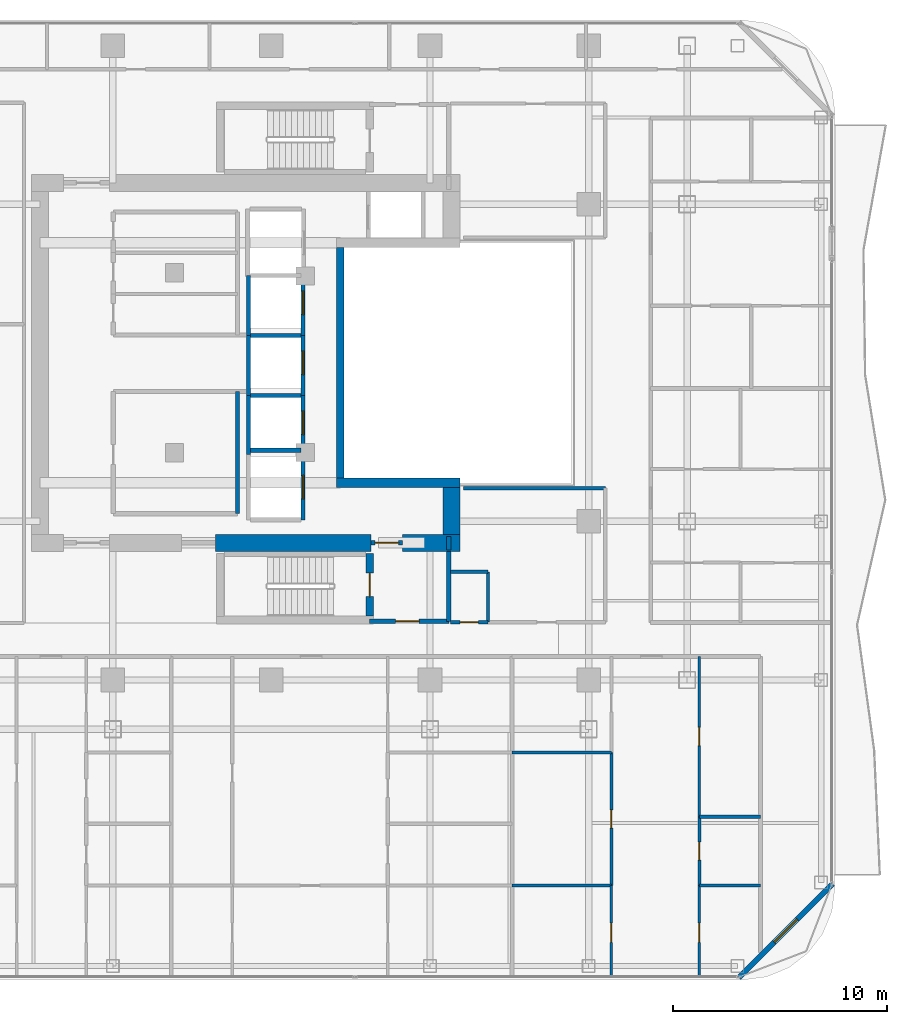
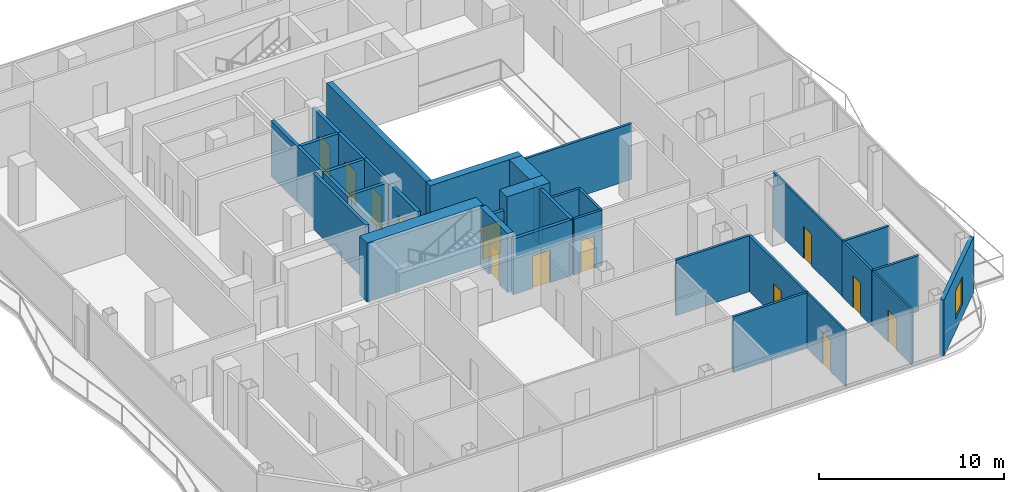
# One storey, part 21 of 27: 35 walls, 13 doors, 1 window, 14 openings.
"""IFC4 building model written with IfcOpenShell, lengths in metres."""

from ifc_helpers import new_model, si_unit, direction, frame, frame_2d, origin, place, context, subcontext, project, spatial, rectangle, extrude, material, layer, layer_set, type_object, element, fill, save


model = new_model("IFC4")

# Units and contexts
model_context = context("Model", 3, precision=1e-05, world=origin(), true_north=direction((0.0, 1.0)))
body_context = subcontext(model_context, "Body", "Model", "MODEL_VIEW")
ifc_project = project(units=[si_unit("LENGTHUNIT", "METRE"), si_unit("AREAUNIT", "SQUARE_METRE"), si_unit("VOLUMEUNIT", "CUBIC_METRE"), si_unit("PLANEANGLEUNIT", "RADIAN"), si_unit("MASSUNIT", "GRAM", prefix="KILO")], contexts=[model_context])

# Site, building, storey
site_placement = place(None, origin())
site = spatial("IfcSite", under=ifc_project, at=site_placement, CompositionType="ELEMENT")
building_placement = place(site_placement, origin())
building = spatial("IfcBuilding", under=site, at=building_placement, Name="Khorvyn Point Tower", CompositionType="ELEMENT")
storey_placement = place(building_placement, frame((0.0, 0.0, 227.39990234375)))
storey = spatial("IfcBuildingStorey", under=building, at=storey_placement, Name="L56", CompositionType="ELEMENT", Elevation=227.39990234375)

# Wall, opening, window
ifc_material_1 = material(Name="Pale anodised aluminium rainscreen on steel stud", Category="steel")
ifc_layer_1 = layer(ifc_material_1, 0.239990234375)
ifc_layer_set_1 = layer_set([ifc_layer_1], Name="Anodised Aluminium Insulated Corner Spandrel Wall 240")
wall_type_1 = type_object("IfcWallType", Name="Anodised Aluminium Insulated Corner Spandrel Wall 240", PredefinedType="SOLIDWALL", material=ifc_layer_set_1)
wall_1_placement = place(storey_placement, frame((26.1923828125, -24.3076171875, 0.0), z_axis=(0.0, 0.0, 1.0), x_axis=(-0.707106781187, -0.707106781187, 0.0)))
wall_1 = element("IfcWall", 1, at=wall_1_placement, inside=storey, type_object=wall_type_1, Name="L56 Rounded Corner Wall SE", PredefinedType="SOLIDWALL", context=body_context, shape_type="SweptSolid", body=[
    extrude(rectangle(XDim=6.200927734375, YDim=0.239990234375, at=frame_2d((3.1005859375, 0.0))), origin(), (0.0, 0.0, 1.0), 3.68017578125),
])
opening_1_placement = place(wall_1_placement, frame((2.3505859375, 0.0, 0.800048828125)))
opening_1 = element("IfcOpeningElement", 2, at=opening_1_placement, cuts=wall_1, Name="Opening WN-1518", PredefinedType="OPENING", context=body_context, shape_type="SweptSolid", body=[
    extrude(rectangle(XDim=1.5, YDim=1.85009765625, at=frame_2d((0.75, 0.925048828125))), frame((0.0, 0.1298828125, 0.0), z_axis=(0.0, -1.0, 0.0), x_axis=(1.0, 0.0, 0.0)), (0.0, 0.0, 1.0), 0.260009765625),
])
ifc_material_2 = material(Name="Anodised aluminium 6063-T6 and laminated Low-E glass", Category="aluminium")
window_type = type_object("IfcWindowType", Name="Anodised Aluminium Rounded-Corner Panoramic Window 1500x1850", PartitioningType="SINGLE_PANEL", PredefinedType="WINDOW", material=ifc_material_2)
window_placement = place(opening_1_placement, origin())
window = element("IfcWindow", 3, at=window_placement, inside=storey, type_object=window_type, Name="L56 Corner Panoramic Window SE", OverallHeight=1.85009765625, OverallWidth=1.5, PartitioningType="SINGLE_PANEL", PredefinedType="WINDOW", context=body_context, shape_type="SweptSolid", body=[
    extrude(rectangle(XDim=1.5, YDim=1.85009765625, at=frame_2d((0.75, 0.925048828125))), frame((0.0, 0.030029296875, 0.0), z_axis=(0.0, -1.0, 0.0), x_axis=(1.0, 0.0, 0.0)), (0.0, 0.0, 1.0), 0.06005859375),
])
fill(opening_1, window)

# Wall
ifc_material_3 = material(Name="Concrete C40/50", Category="concrete")
ifc_layer_2 = layer(ifc_material_3, 0.449951171875)
ifc_layer_set_2 = layer_set([ifc_layer_2], Name="Concrete C40/50 Core Shear Wall 450")
wall_type_2 = type_object("IfcWallType", Name="Concrete C40/50 Core Shear Wall 450", PredefinedType="SHEAR", material=ifc_layer_set_2)
wall_2_placement = place(storey_placement, frame((3.044921875, -5.60009765625, 0.0), z_axis=(0.0, 0.0, 1.0), x_axis=(1.0, 0.0, 0.0)))
element("IfcWall", 4, at=wall_2_placement, inside=storey, type_object=wall_type_2, Name="Wall", PredefinedType="SHEAR", context=body_context, shape_type="SweptSolid", body=[
    extrude(rectangle(XDim=5.755126953125, YDim=0.449951171875, at=frame_2d((2.87744140625, 0.0))), origin(), (0.0, 0.0, 1.0), 3.900146484375),
])

# Wall, opening, door
ifc_layer_3 = layer(ifc_material_3, 0.199951171875)
ifc_layer_set_3 = layer_set([ifc_layer_3], Name="Concrete C40/50 Fire-Lobby Compartment Wall 200")
wall_type_3 = type_object("IfcWallType", Name="Concrete C40/50 Fire-Lobby Compartment Wall 200", PredefinedType="SOLIDWALL", material=ifc_layer_set_3)
wall_3_placement = place(storey_placement, frame((4.580078125, -12.06005859375, 0.0), z_axis=(0.0, 0.0, 1.0), x_axis=(1.0, 0.0, 0.0)))
wall_3 = element("IfcWall", 5, at=wall_3_placement, inside=storey, type_object=wall_type_3, Name="Wall", PredefinedType="SOLIDWALL", context=body_context, shape_type="SweptSolid", body=[
    extrude(rectangle(XDim=3.699951171875, YDim=0.199951171875, at=frame_2d((1.85009765625, 0.0))), origin(), (0.0, 0.0, 1.0), 3.68017578125),
])
opening_2_placement = place(wall_3_placement, frame((1.21240234375, 0.0, 0.0)))
opening_2 = element("IfcOpeningElement", 6, at=opening_2_placement, cuts=wall_3, Name="Opening ID-FL90", PredefinedType="OPENING", context=body_context, shape_type="SweptSolid", body=[
    extrude(rectangle(XDim=1.10009765625, YDim=2.14990234375, at=frame_2d((0.550048828125, 1.074951171875))), frame((0.0, 0.10986328125, 0.0), z_axis=(0.0, -1.0, 0.0), x_axis=(1.0, 0.0, 0.0)), (0.0, 0.0, 1.0), 0.219970703125),
])
ifc_material_4 = material(Name="Galvanised powder-coated steel", Category="steel")
door_type_1 = type_object("IfcDoorType", Name="Fire-Rated Steel Lobby and Stair Door 1100x2150", OperationType="NOTDEFINED", PredefinedType="DOOR", material=ifc_material_4)
door_1_placement = place(opening_2_placement, origin())
door_1 = element("IfcDoor", 7, at=door_1_placement, inside=storey, type_object=door_type_1, Name="Door", OperationType="SINGLE_SWING_RIGHT", OverallHeight=2.14990234375, OverallWidth=1.10009765625, PredefinedType="DOOR", context=body_context, shape_type="SweptSolid", body=[
    extrude(rectangle(XDim=1.10009765625, YDim=2.14990234375, at=frame_2d((0.550048828125, 1.074951171875))), frame((0.0, 0.02490234375, 0.0), z_axis=(0.0, -1.0, 0.0), x_axis=(1.0, 0.0, 0.0)), (0.0, 0.0, 1.0), 0.050048828125),
])
fill(opening_2, door_1)

wall_4_placement = place(storey_placement, frame((4.64990234375, -8.39990234375, 0.0), z_axis=(0.0, 0.0, 1.0), x_axis=(1.0, 0.0, 0.0)))
wall_4 = element("IfcWall", 8, at=wall_4_placement, inside=storey, type_object=wall_type_3, Name="Wall", PredefinedType="SOLIDWALL", context=body_context, shape_type="SweptSolid", body=[
    extrude(rectangle(XDim=1.47021484375, YDim=0.199951171875, at=frame_2d((0.735107421875, 0.0))), origin(), (0.0, 0.0, 1.0), 2.820068359375),
])
opening_3_placement = place(wall_4_placement, frame((0.18505859375, 0.0, 0.0)))
opening_3 = element("IfcOpeningElement", 9, at=opening_3_placement, cuts=wall_4, Name="Opening ID-FL90", PredefinedType="OPENING", context=body_context, shape_type="SweptSolid", body=[
    extrude(rectangle(XDim=1.10009765625, YDim=2.14990234375, at=frame_2d((0.550048828125, 1.074951171875))), frame((0.0, 0.10986328125, 0.0), z_axis=(0.0, -1.0, 0.0), x_axis=(1.0, 0.0, 0.0)), (0.0, 0.0, 1.0), 0.219970703125),
])
door_2_placement = place(opening_3_placement, origin())
door_2 = element("IfcDoor", 10, at=door_2_placement, inside=storey, type_object=door_type_1, Name="Door", OperationType="SINGLE_SWING_LEFT", OverallHeight=2.14990234375, OverallWidth=1.10009765625, PredefinedType="DOOR", context=body_context, shape_type="SweptSolid", body=[
    extrude(rectangle(XDim=1.10009765625, YDim=2.14990234375, at=frame_2d((0.550048828125, 1.074951171875))), frame((0.0, 0.02490234375, 0.0), z_axis=(0.0, -1.0, 0.0), x_axis=(1.0, 0.0, 0.0)), (0.0, 0.0, 1.0), 0.050048828125),
])
fill(opening_3, door_2)

# Walls
wall_5_placement = place(storey_placement, frame((8.280029296875, -12.06005859375, 0.0), z_axis=(0.0, 0.0, 1.0), x_axis=(0.0, 1.0, 0.0)))
element("IfcWall", 11, at=wall_5_placement, inside=storey, type_object=wall_type_3, Name="Wall", PredefinedType="SOLIDWALL", context=body_context, shape_type="SweptSolid", body=[
    extrude(rectangle(XDim=3.260009765625, YDim=0.199951171875, at=frame_2d((1.6298828125, 0.0))), origin(), (0.0, 0.0, 1.0), 3.68017578125),
])
wall_6_placement = place(storey_placement, frame((-1.580078125, -7.0400390625, 0.0), z_axis=(0.0, 0.0, 1.0), x_axis=(0.0, 1.0, 0.0)))
element("IfcWall", 12, at=wall_6_placement, inside=storey, type_object=wall_type_3, Name="Wall", PredefinedType="SOLIDWALL", context=body_context, shape_type="SweptSolid", body=[
    extrude(rectangle(XDim=5.699951171875, YDim=0.199951171875, at=frame_2d((2.85009765625, 0.0))), origin(), (0.0, 0.0, 1.0), 3.68017578125),
])
wall_7_placement = place(storey_placement, frame((8.280029296875, -8.72509765625, 0.0), z_axis=(0.0, 0.0, 1.0), x_axis=(0.0, 1.0, 0.0)))
element("IfcWall", 13, at=wall_7_placement, inside=storey, type_object=wall_type_3, Name="Wall", PredefinedType="SOLIDWALL", context=body_context, shape_type="SweptSolid", body=[
    extrude(rectangle(XDim=0.625, YDim=0.199951171875, at=frame_2d((0.3125, 0.0))), origin(), (0.0, 0.0, 1.0), 3.68017578125),
])
ifc_layer_4 = layer(ifc_material_3, 0.35009765625)
ifc_layer_set_4 = layer_set([ifc_layer_4], Name="Concrete C40/50 Stair Shaft Structural Wall 350")
wall_type_4 = type_object("IfcWallType", Name="Concrete C40/50 Stair Shaft Structural Wall 350", PredefinedType="SHEAR", material=ifc_layer_set_4)
wall_8_placement = place(storey_placement, frame((3.219970703125, -5.375, 0.0), z_axis=(0.0, 0.0, 1.0), x_axis=(0.0, 1.0, 0.0)))
element("IfcWall", 14, at=wall_8_placement, inside=storey, type_object=wall_type_4, Name="Wall", PredefinedType="SHEAR", context=body_context, shape_type="SweptSolid", body=[
    extrude(rectangle(XDim=10.75, YDim=0.35009765625, at=frame_2d((5.375, 0.0))), origin(), (0.0, 0.0, 1.0), 3.900146484375),
])

# Wall, opening, door
wall_9_placement = place(storey_placement, frame((4.580078125, -8.89990234375, 0.0), z_axis=(0.0, 0.0, 1.0), x_axis=(0.0, -1.0, 0.0)))
wall_9 = element("IfcWall", 15, at=wall_9_placement, inside=storey, type_object=wall_type_4, Name="L56 ST-01 East Landing Door Wall", PredefinedType="SHEAR", context=body_context, shape_type="SweptSolid", body=[
    extrude(rectangle(XDim=2.925048828125, YDim=0.35009765625, at=frame_2d((1.46240234375, 0.0))), origin(), (0.0, 0.0, 1.0), 3.900146484375),
])
opening_4_placement = place(wall_9_placement, frame((0.91259765625, 0.0, 0.0)))
opening_4 = element("IfcOpeningElement", 16, at=opening_4_placement, cuts=wall_9, Name="Opening ID-FL90", PredefinedType="OPENING", context=body_context, shape_type="SweptSolid", body=[
    extrude(rectangle(XDim=1.10009765625, YDim=2.14990234375, at=frame_2d((0.550048828125, 1.074951171875))), frame((0.0, 0.18505859375, 0.0), z_axis=(0.0, -1.0, 0.0), x_axis=(1.0, 0.0, 0.0)), (0.0, 0.0, 1.0), 0.3701171875),
])
door_3_placement = place(opening_4_placement, origin())
door_3 = element("IfcDoor", 17, at=door_3_placement, inside=storey, type_object=door_type_1, Name="L56 ST-01 Smokeproof Landing Door", OperationType="SINGLE_SWING_RIGHT", OverallHeight=2.14990234375, OverallWidth=1.10009765625, PredefinedType="DOOR", context=body_context, shape_type="SweptSolid", body=[
    extrude(rectangle(XDim=1.10009765625, YDim=2.14990234375, at=frame_2d((0.550048828125, 1.074951171875))), frame((0.0, 0.02490234375, 0.0), z_axis=(0.0, -1.0, 0.0), x_axis=(1.0, 0.0, 0.0)), (0.0, 0.0, 1.0), 0.050048828125),
])
fill(opening_4, door_3)

# Wall
ifc_layer_5 = layer(ifc_material_3, 0.199951171875)
ifc_layer_set_5 = layer_set([ifc_layer_5], Name="Concrete C40/50 Structural Hoistway and Stair Shaft Wall 200")
wall_type_5 = type_object("IfcWallType", Name="Concrete C40/50 Structural Hoistway and Stair Shaft Wall 200", PredefinedType="SHEAR", material=ifc_layer_set_5)
wall_10_placement = place(storey_placement, frame((-1.074951171875, -4.27490234375, 0.0), z_axis=(0.0, 0.0, 1.0), x_axis=(0.0, 1.0, 0.0)))
element("IfcWall", 18, at=wall_10_placement, inside=storey, type_object=wall_type_5, Name="Wall", PredefinedType="SHEAR", context=body_context, shape_type="SweptSolid", body=[
    extrude(rectangle(XDim=2.75, YDim=0.199951171875, at=frame_2d((1.375, 0.0))), origin(), (0.0, 0.0, 1.0), 3.68017578125),
])

# Wall, opening, door
wall_11_placement = place(storey_placement, frame((1.47509765625, -4.27490234375, 0.0), z_axis=(0.0, 0.0, 1.0), x_axis=(0.0, 1.0, 0.0)))
wall_11 = element("IfcWall", 19, at=wall_11_placement, inside=storey, type_object=wall_type_5, Name="Wall", PredefinedType="SHEAR", context=body_context, shape_type="SweptSolid", body=[
    extrude(rectangle(XDim=2.75, YDim=0.199951171875, at=frame_2d((1.375, 0.0))), origin(), (0.0, 0.0, 1.0), 3.68017578125),
])
opening_5_placement = place(wall_11_placement, frame((0.925048828125, 0.0, 0.0)))
opening_5 = element("IfcOpeningElement", 20, at=opening_5_placement, cuts=wall_11, Name="Opening LD-1122", PredefinedType="OPENING", context=body_context, shape_type="SweptSolid", body=[
    extrude(rectangle(XDim=1.10009765625, YDim=2.199951171875, at=frame_2d((0.550048828125, 1.10009765625))), frame((0.0, 0.10986328125, 0.0), z_axis=(0.0, -1.0, 0.0), x_axis=(1.0, 0.0, 0.0)), (0.0, 0.0, 1.0), 0.219970703125),
])
ifc_material_5 = material(Name="Stainless steel 1.4301", Category="steel")
door_type_2 = type_object("IfcDoorType", Name="Stainless Steel Automatic Sliding Lift Landing Door 1100x2200", OperationType="SLIDING_TO_LEFT", PredefinedType="DOOR", material=ifc_material_5)
door_4_placement = place(opening_5_placement, origin())
door_4 = element("IfcDoor", 21, at=door_4_placement, inside=storey, type_object=door_type_2, Name="L56 RH-01 Sliding Lift Landing Door", OperationType="SLIDING_TO_LEFT", OverallHeight=2.199951171875, OverallWidth=1.10009765625, PredefinedType="DOOR", context=body_context, shape_type="SweptSolid", body=[
    extrude(rectangle(XDim=1.10009765625, YDim=2.199951171875, at=frame_2d((0.550048828125, 1.10009765625))), frame((0.0, 0.02490234375, 0.0), z_axis=(0.0, -1.0, 0.0), x_axis=(1.0, 0.0, 0.0)), (0.0, 0.0, 1.0), 0.050048828125),
])
fill(opening_5, door_4)

# Walls
for number, where, z_axis, x_axis, name in (
    (22, (-0.97509765625, -4.074951171875, 0.0), (0.0, 0.0, 1.0), (1.0, 0.0, 0.0), "Wall"),
    (23, (-0.97509765625, -1.52490234375, 0.0), (0.0, 0.0, 1.0), (1.0, 0.0, 0.0), "Wall"),
):
    element("IfcWall", number, at=place(storey_placement, frame(where, z_axis=z_axis, x_axis=x_axis)), inside=storey, type_object=wall_type_5, Name=name, PredefinedType="SHEAR", context=body_context, shape_type="SweptSolid", body=[
        extrude(rectangle(XDim=2.35009765625, YDim=0.199951171875, at=frame_2d((1.175048828125, 0.0))), origin(), (0.0, 0.0, 1.0), 3.68017578125),
    ])
wall_12_placement = place(storey_placement, frame((-1.074951171875, -1.52490234375, 0.0), z_axis=(0.0, 0.0, 1.0), x_axis=(0.0, 1.0, 0.0)))
element("IfcWall", 24, at=wall_12_placement, inside=storey, type_object=wall_type_5, Name="Wall", PredefinedType="SHEAR", context=body_context, shape_type="SweptSolid", body=[
    extrude(rectangle(XDim=2.7998046875, YDim=0.199951171875, at=frame_2d((1.39990234375, 0.0))), origin(), (0.0, 0.0, 1.0), 3.68017578125),
])

# Wall, opening, door
wall_13_placement = place(storey_placement, frame((1.47509765625, -1.52490234375, 0.0), z_axis=(0.0, 0.0, 1.0), x_axis=(0.0, 1.0, 0.0)))
wall_13 = element("IfcWall", 25, at=wall_13_placement, inside=storey, type_object=wall_type_5, Name="Wall", PredefinedType="SHEAR", context=body_context, shape_type="SweptSolid", body=[
    extrude(rectangle(XDim=2.7998046875, YDim=0.199951171875, at=frame_2d((1.39990234375, 0.0))), origin(), (0.0, 0.0, 1.0), 3.68017578125),
])
opening_6_placement = place(wall_13_placement, frame((0.97509765625, 0.0, 0.0)))
opening_6 = element("IfcOpeningElement", 26, at=opening_6_placement, cuts=wall_13, Name="Opening LD-1122", PredefinedType="OPENING", context=body_context, shape_type="SweptSolid", body=[
    extrude(rectangle(XDim=1.10009765625, YDim=2.199951171875, at=frame_2d((0.550048828125, 1.10009765625))), frame((0.0, 0.10986328125, 0.0), z_axis=(0.0, -1.0, 0.0), x_axis=(1.0, 0.0, 0.0)), (0.0, 0.0, 1.0), 0.219970703125),
])
door_5_placement = place(opening_6_placement, origin())
door_5 = element("IfcDoor", 27, at=door_5_placement, inside=storey, type_object=door_type_2, Name="L56 RH-02 Sliding Lift Landing Door", OperationType="SLIDING_TO_LEFT", OverallHeight=2.199951171875, OverallWidth=1.10009765625, PredefinedType="DOOR", context=body_context, shape_type="SweptSolid", body=[
    extrude(rectangle(XDim=1.10009765625, YDim=2.199951171875, at=frame_2d((0.550048828125, 1.10009765625))), frame((0.0, 0.02490234375, 0.0), z_axis=(0.0, -1.0, 0.0), x_axis=(1.0, 0.0, 0.0)), (0.0, 0.0, 1.0), 0.050048828125),
])
fill(opening_6, door_5)

# Walls
wall_14_placement = place(storey_placement, frame((-0.97509765625, 1.27490234375, 0.0), z_axis=(0.0, 0.0, 1.0), x_axis=(1.0, 0.0, 0.0)))
element("IfcWall", 28, at=wall_14_placement, inside=storey, type_object=wall_type_5, Name="Wall", PredefinedType="SHEAR", context=body_context, shape_type="SweptSolid", body=[
    extrude(rectangle(XDim=2.35009765625, YDim=0.199951171875, at=frame_2d((1.175048828125, 0.0))), origin(), (0.0, 0.0, 1.0), 3.68017578125),
])
wall_15_placement = place(storey_placement, frame((-1.074951171875, 1.27490234375, 0.0), z_axis=(0.0, 0.0, 1.0), x_axis=(0.0, 1.0, 0.0)))
element("IfcWall", 29, at=wall_15_placement, inside=storey, type_object=wall_type_5, Name="Wall", PredefinedType="SHEAR", context=body_context, shape_type="SweptSolid", body=[
    extrude(rectangle(XDim=2.800048828125, YDim=0.199951171875, at=frame_2d((1.39990234375, 0.0))), origin(), (0.0, 0.0, 1.0), 3.68017578125),
])

# Wall, opening, door
wall_16_placement = place(storey_placement, frame((1.47509765625, 1.27490234375, 0.0), z_axis=(0.0, 0.0, 1.0), x_axis=(0.0, 1.0, 0.0)))
wall_16 = element("IfcWall", 30, at=wall_16_placement, inside=storey, type_object=wall_type_5, Name="Wall", PredefinedType="SHEAR", context=body_context, shape_type="SweptSolid", body=[
    extrude(rectangle(XDim=2.800048828125, YDim=0.199951171875, at=frame_2d((1.39990234375, 0.0))), origin(), (0.0, 0.0, 1.0), 3.68017578125),
])
opening_7_placement = place(wall_16_placement, frame((0.97509765625, 0.0, 0.0)))
opening_7 = element("IfcOpeningElement", 31, at=opening_7_placement, cuts=wall_16, Name="Opening LD-1122", PredefinedType="OPENING", context=body_context, shape_type="SweptSolid", body=[
    extrude(rectangle(XDim=1.10009765625, YDim=2.199951171875, at=frame_2d((0.550048828125, 1.10009765625))), frame((0.0, 0.10986328125, 0.0), z_axis=(0.0, -1.0, 0.0), x_axis=(1.0, 0.0, 0.0)), (0.0, 0.0, 1.0), 0.219970703125),
])
door_6_placement = place(opening_7_placement, origin())
door_6 = element("IfcDoor", 32, at=door_6_placement, inside=storey, type_object=door_type_2, Name="L56 RH-03 Sliding Lift Landing Door", OperationType="SLIDING_TO_LEFT", OverallHeight=2.199951171875, OverallWidth=1.10009765625, PredefinedType="DOOR", context=body_context, shape_type="SweptSolid", body=[
    extrude(rectangle(XDim=1.10009765625, YDim=2.199951171875, at=frame_2d((0.550048828125, 1.10009765625))), frame((0.0, 0.02490234375, 0.0), z_axis=(0.0, -1.0, 0.0), x_axis=(1.0, 0.0, 0.0)), (0.0, 0.0, 1.0), 0.050048828125),
])
fill(opening_7, door_6)

wall_17_placement = place(storey_placement, frame((1.47509765625, -7.324951171875, 0.0), z_axis=(0.0, 0.0, 1.0), x_axis=(0.0, 1.0, 0.0)))
wall_17 = element("IfcWall", 33, at=wall_17_placement, inside=storey, type_object=wall_type_5, Name="Wall", PredefinedType="SHEAR", context=body_context, shape_type="SweptSolid", body=[
    extrude(rectangle(XDim=3.050048828125, YDim=0.199951171875, at=frame_2d((1.52490234375, 0.0))), origin(), (0.0, 0.0, 1.0), 3.68017578125),
])
opening_8_placement = place(wall_17_placement, frame((0.97509765625, 0.0, 0.0)))
opening_8 = element("IfcOpeningElement", 34, at=opening_8_placement, cuts=wall_17, Name="Opening LD-1122", PredefinedType="OPENING", context=body_context, shape_type="SweptSolid", body=[
    extrude(rectangle(XDim=1.10009765625, YDim=2.199951171875, at=frame_2d((0.550048828125, 1.10009765625))), frame((0.0, 0.10986328125, 0.0), z_axis=(0.0, -1.0, 0.0), x_axis=(1.0, 0.0, 0.0)), (0.0, 0.0, 1.0), 0.219970703125),
])
door_7_placement = place(opening_8_placement, origin())
door_7 = element("IfcDoor", 35, at=door_7_placement, inside=storey, type_object=door_type_2, Name="L56 FF-01 Sliding Lift Landing Door", OperationType="SLIDING_TO_LEFT", OverallHeight=2.199951171875, OverallWidth=1.10009765625, PredefinedType="DOOR", context=body_context, shape_type="SweptSolid", body=[
    extrude(rectangle(XDim=1.10009765625, YDim=2.199951171875, at=frame_2d((0.550048828125, 1.10009765625))), frame((0.0, 0.02490234375, 0.0), z_axis=(0.0, -1.0, 0.0), x_axis=(1.0, 0.0, 0.0)), (0.0, 0.0, 1.0), 0.050048828125),
])
fill(opening_8, door_7)

# Walls
ifc_material_6 = material(Name="Concrete C45/55", Category="concrete")
ifc_layer_6 = layer(ifc_material_6, 0.800048828125)
ifc_layer_set_6 = layer_set([ifc_layer_6], Name="Concrete C45/55 Core Shear Wall 800")
wall_type_6 = type_object("IfcWallType", Name="Concrete C45/55 Core Shear Wall 800", PredefinedType="SHEAR", material=ifc_layer_set_6)
wall_18_placement = place(storey_placement, frame((-2.6201171875, -8.39990234375, 0.0), z_axis=(0.0, 0.0, 1.0), x_axis=(1.0, 0.0, 0.0)))
element("IfcWall", 36, at=wall_18_placement, inside=storey, type_object=wall_type_6, Name="Wall", PredefinedType="SHEAR", context=body_context, shape_type="SweptSolid", body=[
    extrude(rectangle(XDim=7.27001953125, YDim=0.800048828125, at=frame_2d((3.635009765625, 0.0))), origin(), (0.0, 0.0, 1.0), 3.900146484375),
])
wall_19_placement = place(storey_placement, frame((6.1201171875, -8.39990234375, 0.0), z_axis=(0.0, 0.0, 1.0), x_axis=(1.0, 0.0, 0.0)))
element("IfcWall", 37, at=wall_19_placement, inside=storey, type_object=wall_type_6, Name="Wall", PredefinedType="SHEAR", context=body_context, shape_type="SweptSolid", body=[
    extrude(rectangle(XDim=2.679931640625, YDim=0.800048828125, at=frame_2d((1.33984375, 0.0))), origin(), (0.0, 0.0, 1.0), 3.900146484375),
])
wall_20_placement = place(storey_placement, frame((8.39990234375, -8.0, 0.0), z_axis=(0.0, 0.0, 1.0), x_axis=(0.0, 1.0, 0.0)))
element("IfcWall", 38, at=wall_20_placement, inside=storey, type_object=wall_type_6, Name="Wall", PredefinedType="SHEAR", context=body_context, shape_type="SweptSolid", body=[
    extrude(rectangle(XDim=2.175048828125, YDim=0.800048828125, at=frame_2d((1.08740234375, 0.0))), origin(), (0.0, 0.0, 1.0), 3.900146484375),
])

# Wall, opening, door
ifc_material_7 = material(Name="Gypsum plasterboard on steel stud", Category="steel")
ifc_layer_7 = layer(ifc_material_7, 0.1201171875)
ifc_layer_set_7 = layer_set([ifc_layer_7], Name="Gypsum Acoustic Stud Room Partition Wall 120")
wall_type_7 = type_object("IfcWallType", Name="Gypsum Acoustic Stud Room Partition Wall 120", PredefinedType="PARTITIONING", material=ifc_layer_set_7)
wall_21_placement = place(storey_placement, frame((15.864990234375, -28.6298828125, 0.0), z_axis=(0.0, 0.0, 1.0), x_axis=(0.0, 1.0, 0.0)))
wall_21 = element("IfcWall", 39, at=wall_21_placement, inside=storey, type_object=wall_type_7, Name="Wall", PredefinedType="PARTITIONING", context=body_context, shape_type="SweptSolid", body=[
    extrude(rectangle(XDim=4.239990234375, YDim=0.1201171875, at=frame_2d((2.1201171875, 0.0))), origin(), (0.0, 0.0, 1.0), 3.68017578125),
])
opening_9_placement = place(wall_21_placement, frame((1.581298828125, 0.0, 0.0)))
opening_9 = element("IfcOpeningElement", 40, at=opening_9_placement, cuts=wall_21, Name="Opening ID-RM90", PredefinedType="OPENING", context=body_context, shape_type="SweptSolid", body=[
    extrude(rectangle(XDim=0.89990234375, YDim=2.10009765625, at=frame_2d((0.449951171875, 1.050048828125))), frame((0.0, 0.070068359375, 0.0), z_axis=(0.0, -1.0, 0.0), x_axis=(1.0, 0.0, 0.0)), (0.0, 0.0, 1.0), 0.14013671875),
])
ifc_material_8 = material(Name="Engineered oak veneer timber", Category="wood")
door_type_3 = type_object("IfcDoorType", Name="Flush Engineered Timber Room Door 900x2100", OperationType="NOTDEFINED", PredefinedType="DOOR", material=ifc_material_8)
door_8_placement = place(opening_9_placement, origin())
door_8 = element("IfcDoor", 41, at=door_8_placement, inside=storey, type_object=door_type_3, Name="Door", OperationType="SINGLE_SWING_LEFT", OverallHeight=2.10009765625, OverallWidth=0.89990234375, PredefinedType="DOOR", context=body_context, shape_type="SweptSolid", body=[
    extrude(rectangle(XDim=0.89990234375, YDim=2.10009765625, at=frame_2d((0.449951171875, 1.050048828125))), frame((0.0, 0.02490234375, 0.0), z_axis=(0.0, -1.0, 0.0), x_axis=(1.0, 0.0, 0.0)), (0.0, 0.0, 1.0), 0.050048828125),
])
fill(opening_9, door_8)

wall_22_placement = place(storey_placement, frame((19.969970703125, -21.18310546875, 0.0), z_axis=(0.0, 0.0, 1.0), x_axis=(0.0, 1.0, 0.0)))
wall_22 = element("IfcWall", 42, at=wall_22_placement, inside=storey, type_object=wall_type_7, Name="Wall", PredefinedType="PARTITIONING", context=body_context, shape_type="SweptSolid", body=[
    extrude(rectangle(XDim=7.483154296875, YDim=0.1201171875, at=frame_2d((3.74169921875, 0.0))), origin(), (0.0, 0.0, 1.0), 3.68017578125),
])
opening_10_placement = place(wall_22_placement, frame((3.31640625, 0.0, 0.0)))
opening_10 = element("IfcOpeningElement", 43, at=opening_10_placement, cuts=wall_22, Name="Opening ID-WC85", PredefinedType="OPENING", context=body_context, shape_type="SweptSolid", body=[
    extrude(rectangle(XDim=0.85009765625, YDim=2.10009765625, at=frame_2d((0.425048828125, 1.050048828125))), frame((0.0, 0.070068359375, 0.0), z_axis=(0.0, -1.0, 0.0), x_axis=(1.0, 0.0, 0.0)), (0.0, 0.0, 1.0), 0.14013671875),
])
ifc_material_9 = material(Name="High-pressure laminate on moisture-resistant core", Category="wood")
door_type_4 = type_object("IfcDoorType", Name="Moisture-Resistant Accessible Washroom Door 850x2100", OperationType="NOTDEFINED", PredefinedType="DOOR", material=ifc_material_9)
door_9_placement = place(opening_10_placement, origin())
door_9 = element("IfcDoor", 44, at=door_9_placement, inside=storey, type_object=door_type_4, Name="Door", OperationType="SINGLE_SWING_LEFT", OverallHeight=2.10009765625, OverallWidth=0.85009765625, PredefinedType="DOOR", context=body_context, shape_type="SweptSolid", body=[
    extrude(rectangle(XDim=0.85009765625, YDim=2.10009765625, at=frame_2d((0.425048828125, 1.050048828125))), frame((0.0, 0.02490234375, 0.0), z_axis=(0.0, -1.0, 0.0), x_axis=(1.0, 0.0, 0.0)), (0.0, 0.0, 1.0), 0.050048828125),
])
fill(opening_10, door_9)

wall_23_placement = place(storey_placement, frame((19.969970703125, -28.6298828125, 0.0), z_axis=(0.0, 0.0, 1.0), x_axis=(0.0, 1.0, 0.0)))
wall_23 = element("IfcWall", 45, at=wall_23_placement, inside=storey, type_object=wall_type_7, Name="Wall", PredefinedType="PARTITIONING", context=body_context, shape_type="SweptSolid", body=[
    extrude(rectangle(XDim=4.239990234375, YDim=0.1201171875, at=frame_2d((2.1201171875, 0.0))), origin(), (0.0, 0.0, 1.0), 3.68017578125),
])
opening_11_placement = place(wall_23_placement, frame((1.581298828125, 0.0, 0.0)))
opening_11 = element("IfcOpeningElement", 46, at=opening_11_placement, cuts=wall_23, Name="Opening ID-RM90", PredefinedType="OPENING", context=body_context, shape_type="SweptSolid", body=[
    extrude(rectangle(XDim=0.89990234375, YDim=2.10009765625, at=frame_2d((0.449951171875, 1.050048828125))), frame((0.0, 0.070068359375, 0.0), z_axis=(0.0, -1.0, 0.0), x_axis=(1.0, 0.0, 0.0)), (0.0, 0.0, 1.0), 0.14013671875),
])
door_10_placement = place(opening_11_placement, origin())
door_10 = element("IfcDoor", 47, at=door_10_placement, inside=storey, type_object=door_type_3, Name="Door", OperationType="SINGLE_SWING_RIGHT", OverallHeight=2.10009765625, OverallWidth=0.89990234375, PredefinedType="DOOR", context=body_context, shape_type="SweptSolid", body=[
    extrude(rectangle(XDim=0.89990234375, YDim=2.10009765625, at=frame_2d((0.449951171875, 1.050048828125))), frame((0.0, 0.02490234375, 0.0), z_axis=(0.0, -1.0, 0.0), x_axis=(1.0, 0.0, 0.0)), (0.0, 0.0, 1.0), 0.050048828125),
])
fill(opening_11, door_10)

ifc_material_10 = material(Name="Moisture-resistant gypsum and cement board", Category="gypsum")
ifc_layer_8 = layer(ifc_material_10, 0.14990234375)
ifc_layer_set_8 = layer_set([ifc_layer_8], Name="Moisture-Resistant Wet-Room Partition Wall 150")
wall_type_8 = type_object("IfcWallType", Name="Moisture-Resistant Wet-Room Partition Wall 150", PredefinedType="PARTITIONING", material=ifc_layer_set_8)
wall_24_placement = place(storey_placement, frame((8.360107421875, -12.10009765625, 0.0), z_axis=(0.0, 0.0, 1.0), x_axis=(1.0, 0.0, 0.0)))
wall_24 = element("IfcWall", 48, at=wall_24_placement, inside=storey, type_object=wall_type_8, Name="Wall", PredefinedType="PARTITIONING", context=body_context, shape_type="SweptSolid", body=[
    extrude(rectangle(XDim=1.739990234375, YDim=0.14990234375, at=frame_2d((0.8701171875, 0.0))), origin(), (0.0, 0.0, 1.0), 3.68017578125),
])
opening_12_placement = place(wall_24_placement, frame((0.445068359375, 0.0, 0.0)))
opening_12 = element("IfcOpeningElement", 49, at=opening_12_placement, cuts=wall_24, Name="Opening ID-WC85", PredefinedType="OPENING", context=body_context, shape_type="SweptSolid", body=[
    extrude(rectangle(XDim=0.85009765625, YDim=2.10009765625, at=frame_2d((0.425048828125, 1.050048828125))), frame((0.0, 0.0849609375, 0.0), z_axis=(0.0, -1.0, 0.0), x_axis=(1.0, 0.0, 0.0)), (0.0, 0.0, 1.0), 0.169921875),
])
door_11_placement = place(opening_12_placement, origin())
door_11 = element("IfcDoor", 50, at=door_11_placement, inside=storey, type_object=door_type_4, Name="Door", OperationType="SINGLE_SWING_LEFT", OverallHeight=2.10009765625, OverallWidth=0.85009765625, PredefinedType="DOOR", context=body_context, shape_type="SweptSolid", body=[
    extrude(rectangle(XDim=0.85009765625, YDim=2.10009765625, at=frame_2d((0.425048828125, 1.050048828125))), frame((0.0, 0.02490234375, 0.0), z_axis=(0.0, -1.0, 0.0), x_axis=(1.0, 0.0, 0.0)), (0.0, 0.0, 1.0), 0.050048828125),
])
fill(opening_12, door_11)

wall_25_placement = place(storey_placement, frame((15.864990234375, -24.389892578125, 0.0), z_axis=(0.0, 0.0, 1.0), x_axis=(0.0, 1.0, 0.0)))
wall_25 = element("IfcWall", 51, at=wall_25_placement, inside=storey, type_object=wall_type_8, Name="Wall", PredefinedType="PARTITIONING", context=body_context, shape_type="SweptSolid", body=[
    extrude(rectangle(XDim=6.199951171875, YDim=0.14990234375, at=frame_2d((3.10009765625, 0.0))), origin(), (0.0, 0.0, 1.0), 3.68017578125),
])
opening_13_placement = place(wall_25_placement, frame((2.675048828125, 0.0, 0.0)))
opening_13 = element("IfcOpeningElement", 52, at=opening_13_placement, cuts=wall_25, Name="Opening ID-WC85", PredefinedType="OPENING", context=body_context, shape_type="SweptSolid", body=[
    extrude(rectangle(XDim=0.85009765625, YDim=2.10009765625, at=frame_2d((0.425048828125, 1.050048828125))), frame((0.0, 0.0849609375, 0.0), z_axis=(0.0, -1.0, 0.0), x_axis=(1.0, 0.0, 0.0)), (0.0, 0.0, 1.0), 0.169921875),
])
door_12_placement = place(opening_13_placement, origin())
door_12 = element("IfcDoor", 53, at=door_12_placement, inside=storey, type_object=door_type_4, Name="Door", OperationType="SINGLE_SWING_LEFT", OverallHeight=2.10009765625, OverallWidth=0.85009765625, PredefinedType="DOOR", context=body_context, shape_type="SweptSolid", body=[
    extrude(rectangle(XDim=0.85009765625, YDim=2.10009765625, at=frame_2d((0.425048828125, 1.050048828125))), frame((0.0, 0.02490234375, 0.0), z_axis=(0.0, -1.0, 0.0), x_axis=(1.0, 0.0, 0.0)), (0.0, 0.0, 1.0), 0.050048828125),
])
fill(opening_13, door_12)

wall_26_placement = place(storey_placement, frame((19.969970703125, -24.389892578125, 0.0), z_axis=(0.0, 0.0, 1.0), x_axis=(0.0, 1.0, 0.0)))
wall_26 = element("IfcWall", 54, at=wall_26_placement, inside=storey, type_object=wall_type_8, Name="Wall", PredefinedType="PARTITIONING", context=body_context, shape_type="SweptSolid", body=[
    extrude(rectangle(XDim=3.206787109375, YDim=0.14990234375, at=frame_2d((1.603515625, 0.0))), origin(), (0.0, 0.0, 1.0), 3.68017578125),
])
opening_14_placement = place(wall_26_placement, frame((1.178466796875, 0.0, 0.0)))
opening_14 = element("IfcOpeningElement", 55, at=opening_14_placement, cuts=wall_26, Name="Opening ID-WC85", PredefinedType="OPENING", context=body_context, shape_type="SweptSolid", body=[
    extrude(rectangle(XDim=0.85009765625, YDim=2.10009765625, at=frame_2d((0.425048828125, 1.050048828125))), frame((0.0, 0.0849609375, 0.0), z_axis=(0.0, -1.0, 0.0), x_axis=(1.0, 0.0, 0.0)), (0.0, 0.0, 1.0), 0.169921875),
])
door_13_placement = place(opening_14_placement, origin())
door_13 = element("IfcDoor", 56, at=door_13_placement, inside=storey, type_object=door_type_4, Name="Door", OperationType="SINGLE_SWING_RIGHT", OverallHeight=2.10009765625, OverallWidth=0.85009765625, PredefinedType="DOOR", context=body_context, shape_type="SweptSolid", body=[
    extrude(rectangle(XDim=0.85009765625, YDim=2.10009765625, at=frame_2d((0.425048828125, 1.050048828125))), frame((0.0, 0.02490234375, 0.0), z_axis=(0.0, -1.0, 0.0), x_axis=(1.0, 0.0, 0.0)), (0.0, 0.0, 1.0), 0.050048828125),
])
fill(opening_14, door_13)

# Walls
wall_27_placement = place(storey_placement, frame((8.360107421875, -9.75, 0.0), z_axis=(0.0, 0.0, 1.0), x_axis=(1.0, 0.0, 0.0)))
element("IfcWall", 57, at=wall_27_placement, inside=storey, type_object=wall_type_8, Name="Wall", PredefinedType="PARTITIONING", context=body_context, shape_type="SweptSolid", body=[
    extrude(rectangle(XDim=1.739990234375, YDim=0.14990234375, at=frame_2d((0.8701171875, 0.0))), origin(), (0.0, 0.0, 1.0), 3.68017578125),
])
wall_28_placement = place(storey_placement, frame((10.10009765625, -12.10009765625, 0.0), z_axis=(0.0, 0.0, 1.0), x_axis=(0.0, 1.0, 0.0)))
element("IfcWall", 58, at=wall_28_placement, inside=storey, type_object=wall_type_8, Name="Wall", PredefinedType="PARTITIONING", context=body_context, shape_type="SweptSolid", body=[
    extrude(rectangle(XDim=2.35009765625, YDim=0.14990234375, at=frame_2d((1.175048828125, 0.0))), origin(), (0.0, 0.0, 1.0), 3.68017578125),
])
wall_29_placement = place(storey_placement, frame((8.9599609375, -5.85009765625, 0.0), z_axis=(0.0, 0.0, 1.0), x_axis=(1.0, 0.0, 0.0)))
element("IfcWall", 59, at=wall_29_placement, inside=storey, type_object=wall_type_8, Name="Wall", PredefinedType="PARTITIONING", context=body_context, shape_type="SweptSolid", body=[
    extrude(rectangle(XDim=6.6201171875, YDim=0.14990234375, at=frame_2d((3.31005859375, 0.0))), origin(), (0.0, 0.0, 1.0), 3.68017578125),
])
for number, where, z_axis, x_axis, name in (
    (60, (11.22802734375, -18.18994140625, 0.0), (0.0, 0.0, 1.0), (1.0, 0.0, 0.0), "Wall"),
    (61, (11.22802734375, -24.389892578125, 0.0), (0.0, 0.0, 1.0), (1.0, 0.0, 0.0), "Wall"),
):
    element("IfcWall", number, at=place(storey_placement, frame(where, z_axis=z_axis, x_axis=x_axis)), inside=storey, type_object=wall_type_8, Name=name, PredefinedType="PARTITIONING", context=body_context, shape_type="SweptSolid", body=[
        extrude(rectangle(XDim=4.636962890625, YDim=0.14990234375, at=frame_2d((2.318359375, 0.0))), origin(), (0.0, 0.0, 1.0), 3.68017578125),
    ])
for number, where, z_axis, x_axis, name in (
    (62, (19.969970703125, -21.18310546875, 0.0), (0.0, 0.0, 1.0), (1.0, 0.0, 0.0), "Wall"),
    (63, (19.969970703125, -24.389892578125, 0.0), (0.0, 0.0, 1.0), (1.0, 0.0, 0.0), "Wall"),
):
    element("IfcWall", number, at=place(storey_placement, frame(where, z_axis=z_axis, x_axis=x_axis)), inside=storey, type_object=wall_type_8, Name=name, PredefinedType="PARTITIONING", context=body_context, shape_type="SweptSolid", body=[
        extrude(rectangle(XDim=2.85009765625, YDim=0.14990234375, at=frame_2d((1.425048828125, 0.0))), origin(), (0.0, 0.0, 1.0), 3.68017578125),
    ])

save(model, "model.ifc")
